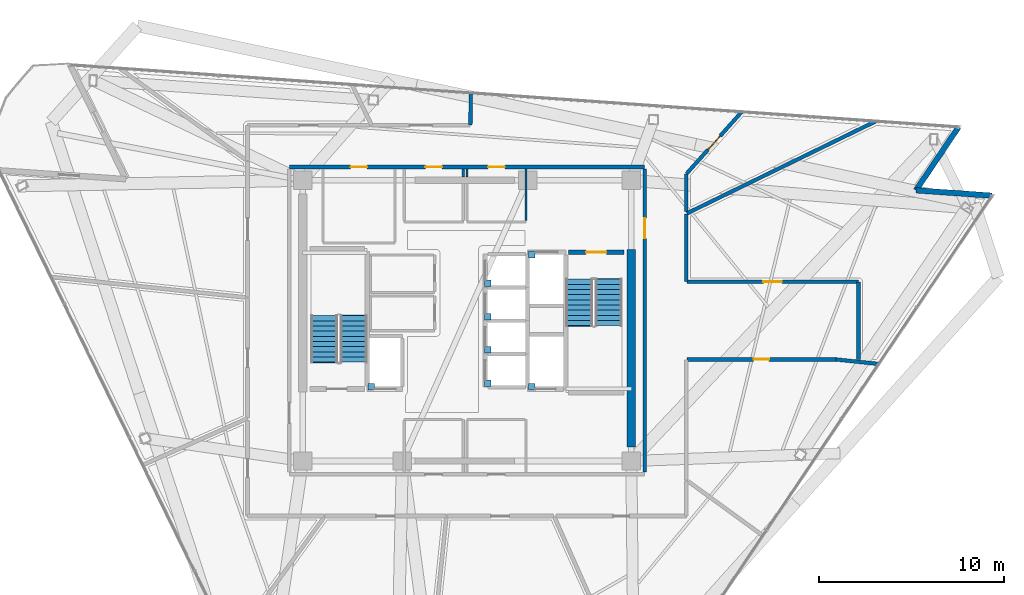
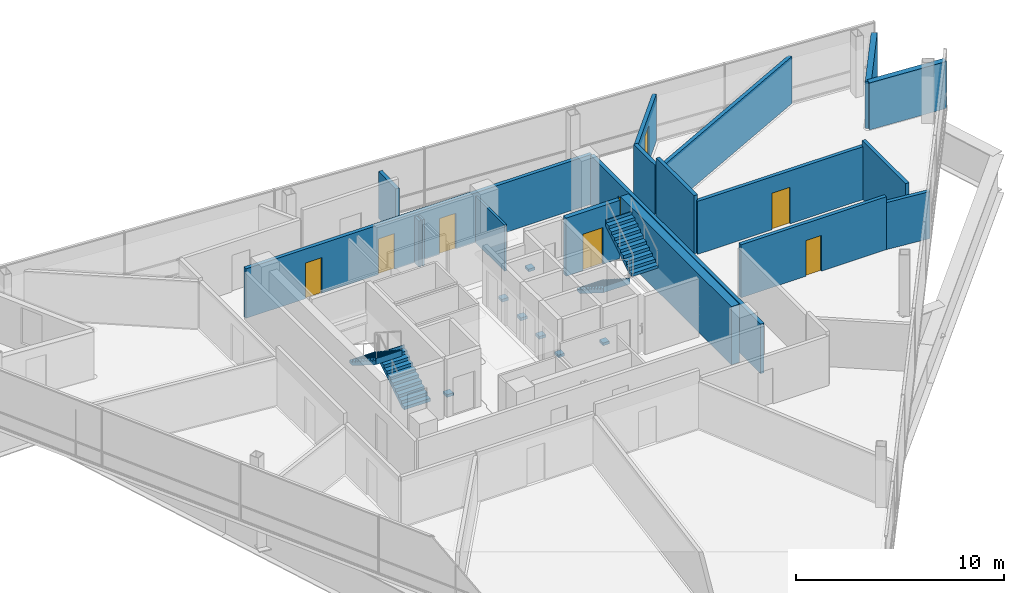
# One storey, part 11 of 14: 18 walls, 8 doors, 7 discrete accessories, 4 stair flights, 8 openings, 2 elements without a shape of their own.
"""IFC4 building model written with IfcOpenShell, lengths in metres."""

import ifcopenshell
import ifcopenshell.guid

model = None  # the IFC model being written
_history = None  # IfcOwnerHistory: only IFC2X3 demands one
_inside = {}  # id of a spatial element -> (the spatial element, [elements in it])
_under = {}  # id of a project, library or spatial element -> (it, [spatial elements below it])
_declared = {}  # id of a project -> (the project, [libraries it declares])
_typed = {}  # id of a type object -> (the type object, [elements of that type])
_made_of = {}  # id of a material, layer set ... -> (it, [elements and type objects made of it])


def new_model(schema):
    """Start an empty IFC model of exactly this schema.

    Asked for "IFC4X3", IfcOpenShell would pick the latest addendum, in which some entities
    have other attributes; the version numbers below select the first issue.
    IFC2X3 requires an IfcOwnerHistory on every rooted entity: one is made here for all.
    """
    global model, _history
    if schema == "IFC4X3":
        model = ifcopenshell.file(schema_version=(4, 3, 0, 0))
    else:
        model = ifcopenshell.file(schema=schema)
    _inside.clear()
    _under.clear()
    _declared.clear()
    _typed.clear()
    _made_of.clear()
    _history = None
    if model.schema == "IFC2X3":
        org = make("IfcOrganization", Name="unknown")
        user = make(
            "IfcPersonAndOrganization",
            ThePerson=make("IfcPerson", FamilyName="unknown"),
            TheOrganization=org,
        )
        app = make(
            "IfcApplication",
            ApplicationDeveloper=org,
            Version="unknown",
            ApplicationFullName="unknown",
            ApplicationIdentifier="unknown",
        )
        _history = make(
            "IfcOwnerHistory",
            OwningUser=user,
            OwningApplication=app,
            ChangeAction="ADDED",
            CreationDate=0,
        )
    return model


def make(cls, **values):
    """One entity of the class cls with the attributes given. An attribute that is None is left unset."""
    return model.create_entity(
        cls, **{name: value for name, value in values.items() if value is not None}
    )


def rooted(cls, **values):
    """An entity with a GlobalId (a new one), such as an element, a storey or a relation."""
    return make(cls, GlobalId=ifcopenshell.guid.new(), OwnerHistory=_history, **values)


def si_unit(unit_type, name, prefix=None):
    """IfcSIUnit, for example si_unit("LENGTHUNIT", "METRE", prefix="MILLI")."""
    return make("IfcSIUnit", UnitType=unit_type, Prefix=prefix, Name=name)


def assignment(units):
    """IfcUnitAssignment: the units of a project."""
    return None if units is None else make("IfcUnitAssignment", Units=units)


def point(xyz):
    """IfcCartesianPoint."""
    return None if xyz is None else make("IfcCartesianPoint", Coordinates=xyz)


def direction(xyz):
    """IfcDirection."""
    return None if xyz is None else make("IfcDirection", DirectionRatios=xyz)


def frame(location, z_axis=None, x_axis=None):
    """IfcAxis2Placement3D, a coordinate frame: its origin and axes. An axis left out is left unset."""
    return make(
        "IfcAxis2Placement3D",
        Location=point(location),
        Axis=direction(z_axis),
        RefDirection=direction(x_axis),
    )


def frame_2d(location, x_axis=None):
    """IfcAxis2Placement2D, a coordinate frame in the plane: its origin and x axis."""
    return make(
        "IfcAxis2Placement2D", Location=point(location), RefDirection=direction(x_axis)
    )


def origin():
    """The frame at (0, 0, 0) with its axes left unset."""
    return frame((0.0, 0.0, 0.0))


def origin_2d():
    """The frame at (0, 0) in the plane with its x axis left unset."""
    return frame_2d((0.0, 0.0))


def place(relative_to, where):
    """IfcLocalPlacement: puts the frame where relative to a parent placement (None: the world)."""
    return make(
        "IfcLocalPlacement", PlacementRelTo=relative_to, RelativePlacement=where
    )


def context(
    kind, dimensions, precision=None, world=None, true_north=None, identifier=None
):
    """IfcGeometricRepresentationContext, for example the 3D "Model" context."""
    return make(
        "IfcGeometricRepresentationContext",
        ContextIdentifier=identifier,
        ContextType=kind,
        CoordinateSpaceDimension=dimensions,
        Precision=precision,
        WorldCoordinateSystem=world,
        TrueNorth=true_north,
    )


def subcontext(parent, identifier, kind, view, scale=None):
    """IfcGeometricRepresentationSubContext, for example "Body" below "Model"."""
    return make(
        "IfcGeometricRepresentationSubContext",
        ContextIdentifier=identifier,
        ContextType=kind,
        ParentContext=parent,
        TargetScale=scale,
        TargetView=view,
    )


def project(units=None, contexts=None):
    """IfcProject with its units and contexts."""
    return rooted(
        "IfcProject",
        Name="project",
        RepresentationContexts=contexts,
        UnitsInContext=assignment(units),
    )


def spatial(cls, under=None, at=None, **own):
    """A site, building, storey or space (cls), placed at a placement, below another one or the project."""
    s = rooted(cls, ObjectPlacement=at, **own)
    if under is not None:
        _under.setdefault(under.id(), (under, []))[1].append(s)
    return s


def polyline(points):
    """IfcPolyline through the points."""
    return make("IfcPolyline", Points=[point(p) for p in points])


def profile(cls, at=None, kind="AREA", **sizes):
    """A parametric profile (cls). Its sizes go by their IFC names, for example OverallWidth=200.0."""
    return make(cls, ProfileType=kind, Position=at, **sizes)


def rectangle(**sizes):
    """IfcRectangleProfileDef."""
    return profile("IfcRectangleProfileDef", **sizes)


def outline(outer, holes=None, kind="AREA"):
    """IfcArbitraryClosedProfileDef: a profile drawn as a closed curve; with holes, ...WithVoids."""
    if holes is None:
        return make("IfcArbitraryClosedProfileDef", ProfileType=kind, OuterCurve=outer)
    return make(
        "IfcArbitraryProfileDefWithVoids",
        ProfileType=kind,
        OuterCurve=outer,
        InnerCurves=holes,
    )


def extrude(swept, where, along, depth):
    """IfcExtrudedAreaSolid: the profile swept, set in the frame where, extruded along a direction by depth."""
    return make(
        "IfcExtrudedAreaSolid",
        SweptArea=swept,
        Position=where,
        ExtrudedDirection=direction(along),
        Depth=depth,
    )


def shape(context_of_items, identifier, shape_type, items):
    """IfcShapeRepresentation: the items that make up one representation, for example the "Body"."""
    return make(
        "IfcShapeRepresentation",
        ContextOfItems=context_of_items,
        RepresentationIdentifier=identifier,
        RepresentationType=shape_type,
        Items=items,
    )


def material(Name=None, Category=None):
    """IfcMaterial."""
    return make("IfcMaterial", Name=Name, Category=Category)


def layer(
    of_material, thickness, ventilated=None, Name=None, Category=None, Priority=None
):
    """IfcMaterialLayer: one layer of a wall or slab, of a material (None: an air gap)."""
    return make(
        "IfcMaterialLayer",
        Material=of_material,
        LayerThickness=thickness,
        IsVentilated=ventilated,
        Name=Name,
        Category=Category,
        Priority=Priority,
    )


def layer_set(layers, Name=None):
    """IfcMaterialLayerSet."""
    return make("IfcMaterialLayerSet", MaterialLayers=layers, LayerSetName=Name)


def made_of(thing, what):
    """Note that an element or type object is made of a material, layer set ...; save() writes the relation."""
    if what is not None:
        _made_of.setdefault(what.id(), (what, []))[1].append(thing)
    return thing


def type_object(cls, material=None, **own):
    """A type object (cls), such as IfcWallType, which elements share."""
    return made_of(rooted(cls, **own), material)


def element(
    cls,
    number,
    at=None,
    inside=None,
    cuts=None,
    type_object=None,
    material=None,
    context=None,
    identifier="Body",
    shape_type=None,
    held_by="IfcProductDefinitionShape",
    body=None,
    shapes=None,
    **own,
):
    """One element of the class cls, such as IfcWall. Its Tag is "e" and its number.

    at: its placement. inside: the storey or other place that contains it. cuts: it is an
    opening in that element (IfcRelVoidsElement). A single representation is given by context,
    identifier, shape_type and body (its items); several are given by shapes. held_by: the class
    of the entity that holds the representations. save() writes the other relations.
    """
    e = rooted(cls, Tag="e%d" % number, ObjectPlacement=at, **own)
    if body is not None:
        shapes = [shape(context, identifier, shape_type, body)]
    if shapes is not None:
        e.Representation = make(held_by, Representations=shapes)
    if inside is not None:
        _inside.setdefault(inside.id(), (inside, []))[1].append(e)
    if cuts is not None:
        rooted(
            "IfcRelVoidsElement", RelatingBuildingElement=cuts, RelatedOpeningElement=e
        )
    if type_object is not None:
        _typed.setdefault(type_object.id(), (type_object, []))[1].append(e)
    return made_of(e, material)


def fill(opening, filler):
    """IfcRelFillsElement: the door or window that sits in an opening."""
    return rooted(
        "IfcRelFillsElement",
        RelatingOpeningElement=opening,
        RelatedBuildingElement=filler,
    )


def aggregate(whole, parts):
    """IfcRelAggregates: a whole, such as a stair, and the parts it consists of."""
    return rooted("IfcRelAggregates", RelatingObject=whole, RelatedObjects=parts)


def save(model, path):
    """Write the relations noted so far, then the file.

    IfcRelAggregates (storeys below a building ...), IfcRelContainedInSpatialStructure (elements
    in a storey), IfcRelDefinesByType, IfcRelAssociatesMaterial and IfcRelDeclares: one each for
    every whole, place, type object, material and project.
    """
    for whole, parts in _under.values():
        aggregate(whole, parts)
    for where, things in _inside.values():
        rooted(
            "IfcRelContainedInSpatialStructure",
            RelatedElements=things,
            RelatingStructure=where,
        )
    for kind, things in _typed.values():
        rooted("IfcRelDefinesByType", RelatedObjects=things, RelatingType=kind)
    for what, things in _made_of.values():
        rooted("IfcRelAssociatesMaterial", RelatedObjects=things, RelatingMaterial=what)
    for by, libraries in _declared.values():
        rooted("IfcRelDeclares", RelatingContext=by, RelatedDefinitions=libraries)
    model.write(path)


model = new_model("IFC4")

# Units and contexts
model_context = context("Model", 3, precision=1e-05, world=origin(), true_north=direction((0.0, 1.0)))
body_context = subcontext(model_context, "Body", "Model", "MODEL_VIEW")
ifc_project = project(units=[si_unit("LENGTHUNIT", "METRE"), si_unit("AREAUNIT", "SQUARE_METRE"), si_unit("VOLUMEUNIT", "CUBIC_METRE"), si_unit("PLANEANGLEUNIT", "RADIAN"), si_unit("MASSUNIT", "GRAM", prefix="KILO")], contexts=[model_context])

# Site, building, storey
site_placement = place(None, origin())
site = spatial("IfcSite", under=ifc_project, at=site_placement, CompositionType="ELEMENT")
building_placement = place(site_placement, origin())
building = spatial("IfcBuilding", under=site, at=building_placement, Name="Tharavind Bronze Gate", CompositionType="ELEMENT")
storey_placement = place(building_placement, frame((0.0, 0.0, 227.050048828125)))
storey = spatial("IfcBuildingStorey", under=building, at=storey_placement, Name="L58", CompositionType="ELEMENT", Elevation=227.050048828125)

# Walls
ifc_material_1 = material(Name="Concrete C40/50", Category="concrete")
ifc_layer_1 = layer(ifc_material_1, 0.300048828125)
ifc_layer_set_1 = layer_set([ifc_layer_1], Name="Concrete C40/50")
wall_type_1 = type_object("IfcWallType", Name="EXTERIOR SPANDREL WALL 300", PredefinedType="STANDARD", material=ifc_layer_set_1)
for number, where, z_axis, x_axis, name in (
    (1, (28.430419921875, 6.77001953125, 0.0), (0.0, 0.0, 1.0), (-0.997561808984, 0.069788518089, 0.0), "L58 notch cheek wall 3A"),
    (2, (24.3125, 7.05810546875, 0.0), (0.0, 0.0, 1.0), (0.559209737351, 0.829026217711, 0.0), "L58 notch cheek wall 3B"),
):
    element("IfcWall", number, at=place(storey_placement, frame(where, z_axis=z_axis, x_axis=x_axis)), inside=storey, type_object=wall_type_1, Name=name, PredefinedType="STANDARD", context=body_context, shape_type="SweptSolid", body=[
        extrude(rectangle(XDim=4.1279296875, YDim=0.300048828125, at=frame_2d((2.06396484375, 0.0))), origin(), (0.0, 0.0, 1.0), 2.764892578125),
    ])

# Wall, openings, doors
ifc_material_2 = material(Name="Aerated Concrete Block", Category="concrete")
ifc_layer_2 = layer(ifc_material_2, 0.199951171875)
ifc_layer_set_2 = layer_set([ifc_layer_2], Name="Aerated Concrete Block")
wall_type_2 = type_object("IfcWallType", Name="FIRE RATED PARTITION 200", PredefinedType="PARTITIONING", material=ifc_layer_set_2)
wall_1_placement = place(storey_placement, frame((9.6201171875, 8.320068359375, 0.0), z_axis=(0.0, 0.0, 1.0), x_axis=(-1.0, 0.0, 0.0)))
wall_1 = element("IfcWall", 3, at=wall_1_placement, inside=storey, type_object=wall_type_2, Name="L58 north core corridor wall", PredefinedType="PARTITIONING", context=body_context, shape_type="SweptSolid", body=[
    extrude(rectangle(XDim=19.240234375, YDim=0.199951171875, at=frame_2d((9.6201171875, 0.0))), origin(), (0.0, 0.0, 1.0), 2.9150390625),
])
opening_1_placement = place(wall_1_placement, frame((10.969970703125, 0.0, 0.0)))
opening_1 = element("IfcOpeningElement", 4, at=opening_1_placement, cuts=wall_1, Name="Opening ID07", PredefinedType="OPENING", context=body_context, shape_type="SweptSolid", body=[
    extrude(rectangle(XDim=0.89990234375, YDim=2.10009765625, at=frame_2d((0.449951171875, 1.050048828125))), frame((0.0, 0.11009765625, 0.0), z_axis=(0.0, -1.0, 0.0), x_axis=(1.0, 0.0, 0.0)), (0.0, 0.0, 1.0), 0.219951171875),
])
opening_2_placement = place(wall_1_placement, frame((7.570068359375, 0.0, 0.0)))
opening_2 = element("IfcOpeningElement", 5, at=opening_2_placement, cuts=wall_1, Name="Opening ID07", PredefinedType="OPENING", context=body_context, shape_type="SweptSolid", body=[
    extrude(rectangle(XDim=0.89990234375, YDim=2.10009765625, at=frame_2d((0.449951171875, 1.050048828125))), frame((0.0, 0.11009765625, 0.0), z_axis=(0.0, -1.0, 0.0), x_axis=(1.0, 0.0, 0.0)), (0.0, 0.0, 1.0), 0.219951171875),
])
opening_3_placement = place(wall_1_placement, frame((15.02001953125, 0.0, 0.0)))
opening_3 = element("IfcOpeningElement", 6, at=opening_3_placement, cuts=wall_1, Name="Opening ID07", PredefinedType="OPENING", context=body_context, shape_type="SweptSolid", body=[
    extrude(rectangle(XDim=0.89990234375, YDim=2.10009765625, at=frame_2d((0.449951171875, 1.050048828125))), frame((0.0, 0.11009765625, 0.0), z_axis=(0.0, -1.0, 0.0), x_axis=(1.0, 0.0, 0.0)), (0.0, 0.0, 1.0), 0.219951171875),
])
ifc_material_3 = material(Name="Galvanised Fire Steel", Category="steel")
door_type_1 = type_object("IfcDoorType", Name="PLANT AND RISER FIRE DOOR 900X2100", OperationType="SINGLE_SWING_LEFT", PredefinedType="DOOR", material=ifc_material_3)
door_1_placement = place(opening_1_placement, frame((0.89990234375, 0.0, 0.0), z_axis=(0.0, 0.0, 1.0), x_axis=(-1.0, 0.0, 0.0)))
door_1 = element("IfcDoor", 7, at=door_1_placement, inside=storey, type_object=door_type_1, Name="L58 Core Telemetry Room fire door", OperationType="SINGLE_SWING_LEFT", OverallHeight=2.10009765625, OverallWidth=0.89990234375, PredefinedType="DOOR", context=body_context, shape_type="SweptSolid", body=[
    extrude(rectangle(XDim=0.89990234375, YDim=2.10009765625, at=frame_2d((0.449951171875, 1.050048828125))), frame((0.0, 0.02490234375, 0.0), z_axis=(0.0, -1.0, 0.0), x_axis=(1.0, 0.0, 0.0)), (0.0, 0.0, 1.0), 0.050048828125),
])
fill(opening_1, door_1)
door_2_placement = place(opening_2_placement, frame((0.89990234375, 0.0, 0.0), z_axis=(0.0, 0.0, 1.0), x_axis=(-1.0, 0.0, 0.0)))
door_2 = element("IfcDoor", 8, at=door_2_placement, inside=storey, type_object=door_type_1, Name="L58 Core Battery Room fire door", OperationType="SINGLE_SWING_LEFT", OverallHeight=2.10009765625, OverallWidth=0.89990234375, PredefinedType="DOOR", context=body_context, shape_type="SweptSolid", body=[
    extrude(rectangle(XDim=0.89990234375, YDim=2.10009765625, at=frame_2d((0.449951171875, 1.050048828125))), frame((0.0, 0.02490234375, 0.0), z_axis=(0.0, -1.0, 0.0), x_axis=(1.0, 0.0, 0.0)), (0.0, 0.0, 1.0), 0.050048828125),
])
fill(opening_2, door_2)
door_3_placement = place(opening_3_placement, frame((0.89990234375, 0.0, 0.0), z_axis=(0.0, 0.0, 1.0), x_axis=(-1.0, 0.0, 0.0)))
door_3 = element("IfcDoor", 9, at=door_3_placement, inside=storey, type_object=door_type_1, Name="L58 Electrical Switch Room fire door", OperationType="SINGLE_SWING_LEFT", OverallHeight=2.10009765625, OverallWidth=0.89990234375, PredefinedType="DOOR", context=body_context, shape_type="SweptSolid", body=[
    extrude(rectangle(XDim=0.89990234375, YDim=2.10009765625, at=frame_2d((0.449951171875, 1.050048828125))), frame((0.0, 0.02490234375, 0.0), z_axis=(0.0, -1.0, 0.0), x_axis=(1.0, 0.0, 0.0)), (0.0, 0.0, 1.0), 0.050048828125),
])
fill(opening_3, door_3)

# Wall, opening, door
wall_2_placement = place(storey_placement, frame((9.6201171875, -8.199951171875, 0.0), z_axis=(0.0, 0.0, 1.0), x_axis=(0.0, 1.0, 0.0)))
wall_2 = element("IfcWall", 10, at=wall_2_placement, inside=storey, type_object=wall_type_2, Name="L58 east core corridor wall", PredefinedType="PARTITIONING", context=body_context, shape_type="SweptSolid", body=[
    extrude(rectangle(XDim=16.39990234375, YDim=0.199951171875, at=frame_2d((8.199951171875, 0.0))), origin(), (0.0, 0.0, 1.0), 2.9150390625),
])
opening_4_placement = place(wall_2_placement, frame((12.64990234375, 0.0, 0.0)))
opening_4 = element("IfcOpeningElement", 11, at=opening_4_placement, cuts=wall_2, Name="Opening ID01", PredefinedType="OPENING", context=body_context, shape_type="SweptSolid", body=[
    extrude(rectangle(XDim=1.10009765625, YDim=2.14990234375, at=frame_2d((0.550048828125, 1.074951171875))), frame((0.0, 0.11009765625, 0.0), z_axis=(0.0, -1.0, 0.0), x_axis=(1.0, 0.0, 0.0)), (0.0, 0.0, 1.0), 0.219951171875),
])
ifc_material_4 = material(Name="Fire-Rated Steel", Category="steel")
door_type_2 = type_object("IfcDoorType", Name="STAIR CORE FIRE DOOR 1100X2150", OperationType="SINGLE_SWING_LEFT", PredefinedType="DOOR", material=ifc_material_4)
door_4_placement = place(opening_4_placement, frame((1.10009765625, 0.0, 0.0), z_axis=(0.0, 0.0, 1.0), x_axis=(-1.0, 0.0, 0.0)))
door_4 = element("IfcDoor", 12, at=door_4_placement, inside=storey, type_object=door_type_2, Name="L58 north east stair lobby fire door", OperationType="SINGLE_SWING_LEFT", OverallHeight=2.14990234375, OverallWidth=1.10009765625, PredefinedType="DOOR", context=body_context, shape_type="SweptSolid", body=[
    extrude(rectangle(XDim=1.10009765625, YDim=2.14990234375, at=frame_2d((0.550048828125, 1.074951171875))), frame((0.0, 0.02490234375, 0.0), z_axis=(0.0, -1.0, 0.0), x_axis=(1.0, 0.0, 0.0)), (0.0, 0.0, 1.0), 0.050048828125),
])
fill(opening_4, door_4)

wall_3_placement = place(storey_placement, frame((11.905029296875, -2.10009765625, 0.0), z_axis=(0.0, 0.0, 1.0), x_axis=(1.0, 0.0, 0.0)))
wall_3 = element("IfcWall", 13, at=wall_3_placement, inside=storey, type_object=wall_type_2, Name="L58 Public Restrooms Block partition", PredefinedType="PARTITIONING", context=body_context, shape_type="SweptSolid", body=[
    extrude(rectangle(XDim=8.073974609375, YDim=0.199951171875, at=frame_2d((4.037109375, 0.0))), origin(), (0.0, 0.0, 1.0), 3.114990234375),
])
opening_5_placement = place(wall_3_placement, frame((3.612060546875, 0.0, 0.0)))
opening_5 = element("IfcOpeningElement", 14, at=opening_5_placement, cuts=wall_3, Name="Opening ID06", PredefinedType="OPENING", context=body_context, shape_type="SweptSolid", body=[
    extrude(rectangle(XDim=0.85009765625, YDim=2.10009765625, at=frame_2d((0.425048828125, 1.050048828125))), frame((0.0, 0.11009765625, 0.0), z_axis=(0.0, -1.0, 0.0), x_axis=(1.0, 0.0, 0.0)), (0.0, 0.0, 1.0), 0.219951171875),
])
ifc_material_5 = material(Name="Moisture-Resistant Timber", Category="wood")
door_type_3 = type_object("IfcDoorType", Name="BATHROOM PRIVACY DOOR 850X2100", OperationType="SINGLE_SWING_RIGHT", PredefinedType="DOOR", material=ifc_material_5)
door_5_placement = place(opening_5_placement, origin())
door_5 = element("IfcDoor", 15, at=door_5_placement, inside=storey, type_object=door_type_3, Name="L58 Public Restrooms Block door", OperationType="SINGLE_SWING_RIGHT", OverallHeight=2.10009765625, OverallWidth=0.85009765625, PredefinedType="DOOR", context=body_context, shape_type="SweptSolid", body=[
    extrude(rectangle(XDim=0.85009765625, YDim=2.10009765625, at=frame_2d((0.425048828125, 1.050048828125))), frame((0.0, 0.02490234375, 0.0), z_axis=(0.0, -1.0, 0.0), x_axis=(1.0, 0.0, 0.0)), (0.0, 0.0, 1.0), 0.050048828125),
])
fill(opening_5, door_5)

# Walls
wall_4_placement = place(storey_placement, frame((19.9814453125, -2.10009765625, 0.0), z_axis=(0.0, 0.0, 1.0), x_axis=(0.994525656054, -0.104492676543, 0.0)))
element("IfcWall", 16, at=wall_4_placement, inside=storey, type_object=wall_type_2, Name="L58 Public Restrooms Block partition", PredefinedType="PARTITIONING", context=body_context, shape_type="SweptSolid", body=[
    extrude(rectangle(XDim=2.3154296875, YDim=0.199951171875, at=frame_2d((1.15771484375, 0.0))), origin(), (0.0, 0.0, 1.0), 2.764892578125),
])
wall_5_placement = place(storey_placement, frame((22.13134765625, 10.794189453125, 0.0), z_axis=(0.0, 0.0, 1.0), x_axis=(-0.898791566239, -0.438376231629, 0.0)))
element("IfcWall", 17, at=wall_5_placement, inside=storey, type_object=wall_type_2, Name="L58 Diplomatic Chancery Office partition", PredefinedType="PARTITIONING", context=body_context, shape_type="SweptSolid", body=[
    extrude(rectangle(XDim=11.36572265625, YDim=0.199951171875, at=frame_2d((5.682861328125, 0.0))), origin(), (0.0, 0.0, 1.0), 2.764892578125),
])
wall_6_placement = place(storey_placement, frame((11.8798828125, 5.9111328125, 0.0), z_axis=(0.0, 0.0, 1.0), x_axis=(0.0, 1.0, 0.0)))
element("IfcWall", 18, at=wall_6_placement, inside=storey, type_object=wall_type_2, Name="L58 Diplomatic Chancery Office partition", PredefinedType="PARTITIONING", context=body_context, shape_type="SweptSolid", body=[
    extrude(rectangle(XDim=2.025146484375, YDim=0.199951171875, at=frame_2d((1.0126953125, 0.0))), origin(), (0.0, 0.0, 1.0), 2.9150390625),
])

# Wall, opening, door
wall_7_placement = place(storey_placement, frame((11.88623046875, 7.952880859375, 0.0), z_axis=(0.0, 0.0, 1.0), x_axis=(0.665672988236, 0.746243574668, 0.0)))
wall_7 = element("IfcWall", 19, at=wall_7_placement, inside=storey, type_object=wall_type_2, Name="L58 Diplomatic Chancery Office partition", PredefinedType="PARTITIONING", context=body_context, shape_type="SweptSolid", body=[
    extrude(rectangle(XDim=4.487548828125, YDim=0.199951171875, at=frame_2d((2.24365234375, 0.0))), origin(), (0.0, 0.0, 1.0), 2.764892578125),
])
opening_6_placement = place(wall_7_placement, frame((1.743896484375, 0.0, 0.0)))
opening_6 = element("IfcOpeningElement", 20, at=opening_6_placement, cuts=wall_7, Name="Opening ID04", PredefinedType="OPENING", context=body_context, shape_type="SweptSolid", body=[
    extrude(rectangle(XDim=1.0, YDim=2.14990234375, at=frame_2d((0.5, 1.074951171875))), frame((0.0, 0.11009765625, 0.0), z_axis=(0.0, -1.0, 0.0), x_axis=(1.0, 0.0, 0.0)), (0.0, 0.0, 1.0), 0.219951171875),
])
ifc_material_6 = material(Name="Bronze Framed Acoustic Timber", Category="wood")
door_type_4 = type_object("IfcDoorType", Name="OFFICE TENANCY DOOR 1000X2150", OperationType="SINGLE_SWING_RIGHT", PredefinedType="DOOR", material=ifc_material_6)
door_6_placement = place(opening_6_placement, origin())
door_6 = element("IfcDoor", 21, at=door_6_placement, inside=storey, type_object=door_type_4, Name="L58 Diplomatic Chancery Office door", OperationType="SINGLE_SWING_RIGHT", OverallHeight=2.14990234375, OverallWidth=1.0, PredefinedType="DOOR", context=body_context, shape_type="SweptSolid", body=[
    extrude(rectangle(XDim=1.0, YDim=2.14990234375, at=frame_2d((0.5, 1.074951171875))), frame((0.0, 0.02490234375, 0.0), z_axis=(0.0, -1.0, 0.0), x_axis=(1.0, 0.0, 0.0)), (0.0, 0.0, 1.0), 0.050048828125),
])
fill(opening_6, door_6)

# Walls
wall_8_placement = place(storey_placement, frame((0.214599609375, 12.302978515625, 0.0), z_axis=(0.0, 0.0, 1.0), x_axis=(-0.017389924227, -0.999848783835, 0.0)))
element("IfcWall", 22, at=wall_8_placement, inside=storey, type_object=wall_type_2, Name="L58 Consular Interview Room partition", PredefinedType="PARTITIONING", context=body_context, shape_type="SweptSolid", body=[
    extrude(rectangle(XDim=1.69873046875, YDim=0.199951171875, at=frame_2d((0.849365234375, 0.0))), origin(), (0.0, 0.0, 1.0), 2.764892578125),
])
wall_9_placement = place(storey_placement, frame((21.199951171875, -2.099365234375, 0.0), z_axis=(0.0, 0.0, 1.0), x_axis=(0.0, 1.0, 0.0)))
element("IfcWall", 23, at=wall_9_placement, inside=storey, type_object=wall_type_2, Name="L58 Protocol Records Office partition", PredefinedType="PARTITIONING", context=body_context, shape_type="SweptSolid", body=[
    extrude(rectangle(XDim=4.19873046875, YDim=0.199951171875, at=frame_2d((2.099365234375, 0.0))), origin(), (0.0, 0.0, 1.0), 3.419921875),
])

# Wall, opening, door
wall_10_placement = place(storey_placement, frame((21.199462890625, 2.10009765625, 0.0), z_axis=(0.0, 0.0, 1.0), x_axis=(-1.0, 0.0, 0.0)))
wall_10 = element("IfcWall", 24, at=wall_10_placement, inside=storey, type_object=wall_type_2, Name="L58 Protocol Records Office partition", PredefinedType="PARTITIONING", context=body_context, shape_type="SweptSolid", body=[
    extrude(rectangle(XDim=9.29443359375, YDim=0.199951171875, at=frame_2d((4.647216796875, 0.0))), origin(), (0.0, 0.0, 1.0), 3.114990234375),
])
opening_7_placement = place(wall_10_placement, frame((4.14697265625, 0.0, 0.0)))
opening_7 = element("IfcOpeningElement", 25, at=opening_7_placement, cuts=wall_10, Name="Opening ID04", PredefinedType="OPENING", context=body_context, shape_type="SweptSolid", body=[
    extrude(rectangle(XDim=1.0, YDim=2.14990234375, at=frame_2d((0.5, 1.074951171875))), frame((0.0, 0.11009765625, 0.0), z_axis=(0.0, -1.0, 0.0), x_axis=(1.0, 0.0, 0.0)), (0.0, 0.0, 1.0), 0.219951171875),
])
door_7_placement = place(opening_7_placement, origin())
door_7 = element("IfcDoor", 26, at=door_7_placement, inside=storey, type_object=door_type_4, Name="L58 Protocol Records Office door", OperationType="SINGLE_SWING_RIGHT", OverallHeight=2.14990234375, OverallWidth=1.0, PredefinedType="DOOR", context=body_context, shape_type="SweptSolid", body=[
    extrude(rectangle(XDim=1.0, YDim=2.14990234375, at=frame_2d((0.5, 1.074951171875))), frame((0.0, 0.02490234375, 0.0), z_axis=(0.0, -1.0, 0.0), x_axis=(1.0, 0.0, 0.0)), (0.0, 0.0, 1.0), 0.050048828125),
])
fill(opening_7, door_7)

# Walls
wall_11_placement = place(storey_placement, frame((11.8798828125, 2.125, 0.0), z_axis=(0.0, 0.0, 1.0), x_axis=(0.0, 1.0, 0.0)))
element("IfcWall", 27, at=wall_11_placement, inside=storey, type_object=wall_type_2, Name="L58 Protocol Records Office partition", PredefinedType="PARTITIONING", context=body_context, shape_type="SweptSolid", body=[
    extrude(rectangle(XDim=3.653564453125, YDim=0.199951171875, at=frame_2d((1.82666015625, 0.0))), origin(), (0.0, 0.0, 1.0), 3.419921875),
])
ifc_material_7 = material(Name="Metal Stud Gypsum Partition", Category="gypsum")
ifc_layer_3 = layer(ifc_material_7, 0.1201171875)
ifc_layer_set_3 = layer_set([ifc_layer_3], Name="Metal Stud Gypsum Partition")
wall_type_3 = type_object("IfcWallType", Name="INTERIOR PARTITION WALL 120", PredefinedType="PARTITIONING", material=ifc_layer_set_3)
wall_12_placement = place(storey_placement, frame((-0.199951171875, 7.780029296875, 0.0), z_axis=(0.0, 0.0, 1.0), x_axis=(0.0, 1.0, 0.0)))
element("IfcWall", 28, at=wall_12_placement, inside=storey, type_object=wall_type_3, Name="L58 Core Telemetry Room partition 2", PredefinedType="PARTITIONING", context=body_context, shape_type="SweptSolid", body=[
    extrude(rectangle(XDim=0.43505859375, YDim=0.1201171875, at=frame_2d((0.217529296875, 0.0))), origin(), (0.0, 0.0, 1.0), 2.71484375),
])
wall_13_placement = place(storey_placement, frame((3.199951171875, 5.4150390625, 0.0), z_axis=(0.0, 0.0, 1.0), x_axis=(0.0, 1.0, 0.0)))
element("IfcWall", 29, at=wall_13_placement, inside=storey, type_object=wall_type_3, Name="L58 Core Battery Room partition 2", PredefinedType="PARTITIONING", context=body_context, shape_type="SweptSolid", body=[
    extrude(rectangle(XDim=2.800048828125, YDim=0.1201171875, at=frame_2d((1.39990234375, 0.0))), origin(), (0.0, 0.0, 1.0), 2.71484375),
])
wall_14_placement = place(storey_placement, frame((0.0, 8.215087890625, 0.0), z_axis=(0.0, 0.0, 1.0), x_axis=(0.0, -1.0, 0.0)))
element("IfcWall", 30, at=wall_14_placement, inside=storey, type_object=wall_type_3, Name="L58 Core Battery Room partition 4", PredefinedType="PARTITIONING", context=body_context, shape_type="SweptSolid", body=[
    extrude(rectangle(XDim=0.43505859375, YDim=0.1201171875, at=frame_2d((0.217529296875, 0.0))), origin(), (0.0, 0.0, 1.0), 2.71484375),
])

# Wall, opening, door
ifc_material_8 = material(Name="Concrete C50/60", Category="concrete")
ifc_layer_4 = layer(ifc_material_8, 0.25)
ifc_layer_set_4 = layer_set([ifc_layer_4], Name="Concrete C50/60")
wall_type_4 = type_object("IfcWallType", Name="RC CORE SHEAR WALL 250", PredefinedType="SHEAR", material=ifc_layer_set_4)
wall_15_placement = place(storey_placement, frame((5.5, 3.699951171875, 0.0), z_axis=(0.0, 0.0, 1.0), x_axis=(1.0, 0.0, 0.0)))
wall_15 = element("IfcWall", 31, at=wall_15_placement, inside=storey, type_object=wall_type_4, Name="L58 ST2 shaft north wall", PredefinedType="SHEAR", context=body_context, shape_type="SweptSolid", body=[
    extrude(rectangle(XDim=3.0, YDim=0.25, at=frame_2d((1.5, 0.0))), origin(), (0.0, 0.0, 1.0), 3.419921875),
])
opening_8_placement = place(wall_15_placement, frame((0.949951171875, 0.0, 0.0)))
opening_8 = element("IfcOpeningElement", 32, at=opening_8_placement, cuts=wall_15, Name="Opening ID01", PredefinedType="OPENING", context=body_context, shape_type="SweptSolid", body=[
    extrude(rectangle(XDim=1.10009765625, YDim=2.14990234375, at=frame_2d((0.550048828125, 1.074951171875))), frame((0.0, 0.135, 0.0), z_axis=(0.0, -1.0, 0.0), x_axis=(1.0, 0.0, 0.0)), (0.0, 0.0, 1.0), 0.27),
])
door_8_placement = place(opening_8_placement, frame((1.10009765625, 0.0, 0.0), z_axis=(0.0, 0.0, 1.0), x_axis=(-1.0, 0.0, 0.0)))
door_8 = element("IfcDoor", 33, at=door_8_placement, inside=storey, type_object=door_type_2, Name="L58 exit stair ST2 fire door", OperationType="SINGLE_SWING_LEFT", OverallHeight=2.14990234375, OverallWidth=1.10009765625, PredefinedType="DOOR", context=body_context, shape_type="SweptSolid", body=[
    extrude(rectangle(XDim=1.10009765625, YDim=2.14990234375, at=frame_2d((0.550048828125, 1.074951171875))), frame((0.0, 0.02490234375, 0.0), z_axis=(0.0, -1.0, 0.0), x_axis=(1.0, 0.0, 0.0)), (0.0, 0.0, 1.0), 0.050048828125),
])
fill(opening_8, door_8)

# Wall
ifc_material_9 = material(Name="Concrete C60/75", Category="concrete")
ifc_layer_5 = layer(ifc_material_9, 0.449951171875)
ifc_layer_set_5 = layer_set([ifc_layer_5], Name="Concrete C60/75")
wall_type_5 = type_object("IfcWallType", Name="RC CORE SHEAR WALL 450", PredefinedType="SHEAR", material=ifc_layer_set_5)
wall_16_placement = place(storey_placement, frame((8.89990234375, -6.85009765625, 0.0), z_axis=(0.0, 0.0, 1.0), x_axis=(0.0, 1.0, 0.0)))
element("IfcWall", 34, at=wall_16_placement, inside=storey, type_object=wall_type_5, Name="L58 east core shear wall", PredefinedType="SHEAR", context=body_context, shape_type="SweptSolid", body=[
    extrude(rectangle(XDim=10.7001953125, YDim=0.449951171875, at=frame_2d((5.35009765625, 0.0))), origin(), (0.0, 0.0, 1.0), 3.419921875),
])

# Stair, stair flights
stair_type = type_object("IfcStairType", Name="CORE HALF TURN STAIR 1450", PredefinedType="HALF_TURN_STAIR", material=ifc_material_1)
stair_1_placement = place(storey_placement, origin())
stair_1 = element("IfcStair", 35, at=stair_1_placement, inside=storey, type_object=stair_type, Name="L58 Protected Exit Stair ST1", PredefinedType="HALF_TURN_STAIR")
stair_flight_type = type_object("IfcStairFlightType", Name="CORE STAIR FLIGHT 1450", PredefinedType="STRAIGHT", material=ifc_material_1)
stair_flight_1_placement = place(storey_placement, frame((-6.125, -2.25, 0.0), z_axis=(0.0, 0.0, 1.0), x_axis=(0.0, 1.0, 0.0)))
stair_flight_1 = element("IfcStairFlight", 36, at=stair_flight_1_placement, type_object=stair_flight_type, Name="ST1 flight 1", NumberOfRisers=10, NumberOfTreads=9, PredefinedType="STRAIGHT", RiserHeight=0.18, TreadLength=0.28, context=body_context, shape_type="SweptSolid", body=[
    extrude(outline(polyline([(0.0, 0.0), (0.0, 0.179931640625), (0.280029296875, 0.179931640625), (0.280029296875, 0.360107421875), (0.56005859375, 0.360107421875), (0.56005859375, 0.5400390625), (0.840087890625, 0.5400390625), (0.840087890625, 0.719970703125), (1.1201171875, 0.719970703125), (1.1201171875, 0.89990234375), (1.39990234375, 0.89990234375), (1.39990234375, 1.080078125), (1.679931640625, 1.080078125), (1.679931640625, 1.260009765625), (1.9599609375, 1.260009765625), (1.9599609375, 1.43994140625), (2.239990234375, 1.43994140625), (2.239990234375, 1.6201171875), (2.52001953125, 1.6201171875), (2.52001953125, 1.800048828125), (2.555908203125, 1.800048828125), (2.555908203125, 1.44189453125), (0.277099609375, 0.0), (0.0, 0.0)])), frame((0.0, 0.72509765625, 0.0), z_axis=(0.0, -1.0, 0.0), x_axis=(1.0, 0.0, 0.0)), (0.0, 0.0, 1.0), 1.449951171875),
])
stair_flight_2_placement = place(storey_placement, frame((-7.72509765625, 0.27001953125, 1.800048828125), z_axis=(0.0, 0.0, 1.0), x_axis=(0.0, -1.0, 0.0)))
stair_flight_2 = element("IfcStairFlight", 37, at=stair_flight_2_placement, type_object=stair_flight_type, Name="ST1 flight 2", NumberOfRisers=10, NumberOfTreads=9, PredefinedType="STRAIGHT", RiserHeight=0.18, TreadLength=0.28, context=body_context, shape_type="SweptSolid", body=[
    extrude(outline(polyline([(0.0, 0.0), (0.0, 0.179931640625), (0.280029296875, 0.179931640625), (0.280029296875, 0.360107421875), (0.56005859375, 0.360107421875), (0.56005859375, 0.5400390625), (0.840087890625, 0.5400390625), (0.840087890625, 0.719970703125), (1.1201171875, 0.719970703125), (1.1201171875, 0.89990234375), (1.39990234375, 0.89990234375), (1.39990234375, 1.080078125), (1.679931640625, 1.080078125), (1.679931640625, 1.260009765625), (1.9599609375, 1.260009765625), (1.9599609375, 1.43994140625), (2.239990234375, 1.43994140625), (2.239990234375, 1.6201171875), (2.52001953125, 1.6201171875), (2.52001953125, 1.800048828125), (2.555908203125, 1.800048828125), (2.555908203125, 1.44189453125), (0.277099609375, 0.0), (0.0, 0.0)])), frame((0.0, 0.72509765625, 0.0), z_axis=(0.0, -1.0, 0.0), x_axis=(1.0, 0.0, 0.0)), (0.0, 0.0, 1.0), 1.449951171875),
])
aggregate(stair_1, [stair_flight_1, stair_flight_2])

stair_2_placement = place(storey_placement, origin())
stair_2 = element("IfcStair", 38, at=stair_2_placement, inside=storey, type_object=stair_type, Name="L58 Protected Exit Stair ST2", PredefinedType="HALF_TURN_STAIR")
stair_flight_3_placement = place(storey_placement, frame((6.074951171875, 2.25, 0.0), z_axis=(0.0, 0.0, 1.0), x_axis=(0.0, -1.0, 0.0)))
stair_flight_3 = element("IfcStairFlight", 39, at=stair_flight_3_placement, type_object=stair_flight_type, Name="ST2 flight 1", NumberOfRisers=10, NumberOfTreads=9, PredefinedType="STRAIGHT", RiserHeight=0.18, TreadLength=0.28, context=body_context, shape_type="SweptSolid", body=[
    extrude(outline(polyline([(0.0, 0.0), (0.0, 0.179931640625), (0.280029296875, 0.179931640625), (0.280029296875, 0.360107421875), (0.56005859375, 0.360107421875), (0.56005859375, 0.5400390625), (0.840087890625, 0.5400390625), (0.840087890625, 0.719970703125), (1.1201171875, 0.719970703125), (1.1201171875, 0.89990234375), (1.39990234375, 0.89990234375), (1.39990234375, 1.080078125), (1.679931640625, 1.080078125), (1.679931640625, 1.260009765625), (1.9599609375, 1.260009765625), (1.9599609375, 1.43994140625), (2.239990234375, 1.43994140625), (2.239990234375, 1.6201171875), (2.52001953125, 1.6201171875), (2.52001953125, 1.800048828125), (2.555908203125, 1.800048828125), (2.555908203125, 1.44189453125), (0.277099609375, 0.0), (0.0, 0.0)])), frame((0.0, 0.72509765625, 0.0), z_axis=(0.0, -1.0, 0.0), x_axis=(1.0, 0.0, 0.0)), (0.0, 0.0, 1.0), 1.449951171875),
])
stair_flight_4_placement = place(storey_placement, frame((7.675048828125, -0.27001953125, 1.800048828125), z_axis=(0.0, 0.0, 1.0), x_axis=(0.0, 1.0, 0.0)))
stair_flight_4 = element("IfcStairFlight", 40, at=stair_flight_4_placement, type_object=stair_flight_type, Name="ST2 flight 2", NumberOfRisers=10, NumberOfTreads=9, PredefinedType="STRAIGHT", RiserHeight=0.18, TreadLength=0.28, context=body_context, shape_type="SweptSolid", body=[
    extrude(outline(polyline([(0.0, 0.0), (0.0, 0.179931640625), (0.280029296875, 0.179931640625), (0.280029296875, 0.360107421875), (0.56005859375, 0.360107421875), (0.56005859375, 0.5400390625), (0.840087890625, 0.5400390625), (0.840087890625, 0.719970703125), (1.1201171875, 0.719970703125), (1.1201171875, 0.89990234375), (1.39990234375, 0.89990234375), (1.39990234375, 1.080078125), (1.679931640625, 1.080078125), (1.679931640625, 1.260009765625), (1.9599609375, 1.260009765625), (1.9599609375, 1.43994140625), (2.239990234375, 1.43994140625), (2.239990234375, 1.6201171875), (2.52001953125, 1.6201171875), (2.52001953125, 1.800048828125), (2.555908203125, 1.800048828125), (2.555908203125, 1.44189453125), (0.277099609375, 0.0), (0.0, 0.0)])), frame((0.0, 0.72509765625, 0.0), z_axis=(0.0, -1.0, 0.0), x_axis=(1.0, 0.0, 0.0)), (0.0, 0.0, 1.0), 1.449951171875),
])
aggregate(stair_2, [stair_flight_3, stair_flight_4])

# Discrete accessories
ifc_material_10 = material(Name="Galvanised Steel S355", Category="steel")
discrete_accessory_type = type_object("IfcDiscreteAccessoryType", Name="LIFT GUIDE RAIL BRACKET", PredefinedType="BRACKET", material=ifc_material_10)
for number, where, z_axis, x_axis, name in (
    (41, (1.1201171875, -3.3798828125, 1.1201171875), (0.0, 0.0, 1.0), (1.0, 0.0, 0.0), "Lift PL9 guide rail bracket at L58"),
    (42, (1.1201171875, -1.580078125, 1.1201171875), (0.0, 0.0, 1.0), (1.0, 0.0, 0.0), "Lift PL10 guide rail bracket at L58"),
    (43, (1.1201171875, 0.219970703125, 1.1201171875), (0.0, 0.0, 1.0), (1.0, 0.0, 0.0), "Lift PL11 guide rail bracket at L58"),
    (44, (1.1201171875, 2.02001953125, 1.1201171875), (0.0, 0.0, 1.0), (1.0, 0.0, 0.0), "Lift PL12 guide rail bracket at L58"),
    (45, (-5.179931640625, -3.580078125, 1.1201171875), (0.0, 0.0, 1.0), (1.0, 0.0, 0.0), "Lift FFL1 guide rail bracket at L58"),
    (46, (3.5, 3.580078125, 1.1201171875), (0.0, 0.0, 1.0), (1.0, 0.0, 0.0), "Lift FFL2 guide rail bracket at L58"),
    (47, (3.5, -3.580078125, 1.1201171875), (0.0, 0.0, 1.0), (1.0, 0.0, 0.0), "Lift SVL1 guide rail bracket at L58"),
):
    element("IfcDiscreteAccessory", number, at=place(storey_placement, frame(where, z_axis=z_axis, x_axis=x_axis)), inside=storey, type_object=discrete_accessory_type, Name=name, PredefinedType="BRACKET", context=body_context, shape_type="SweptSolid", body=[
        extrude(rectangle(XDim=0.360107421875, YDim=0.360107421875, at=origin_2d()), origin(), (0.0, 0.0, 1.0), 0.159912109375),
    ])

save(model, "model.ifc")
